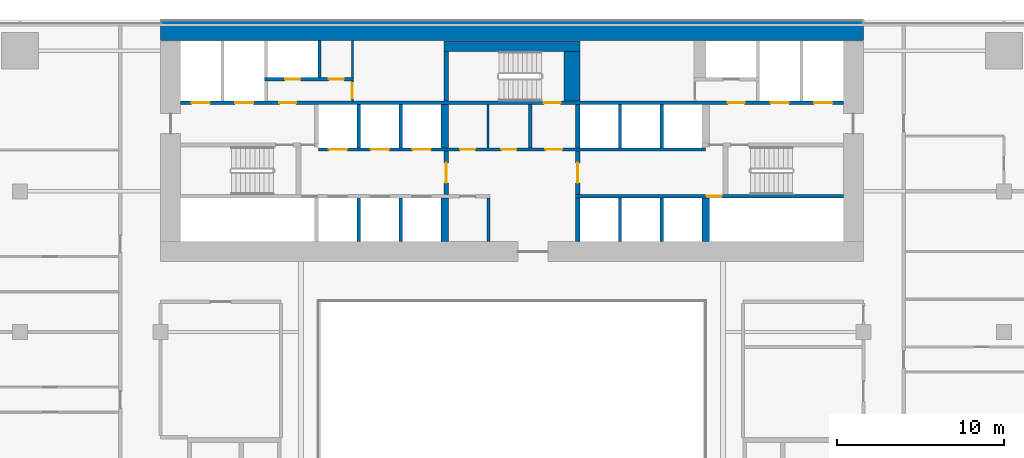
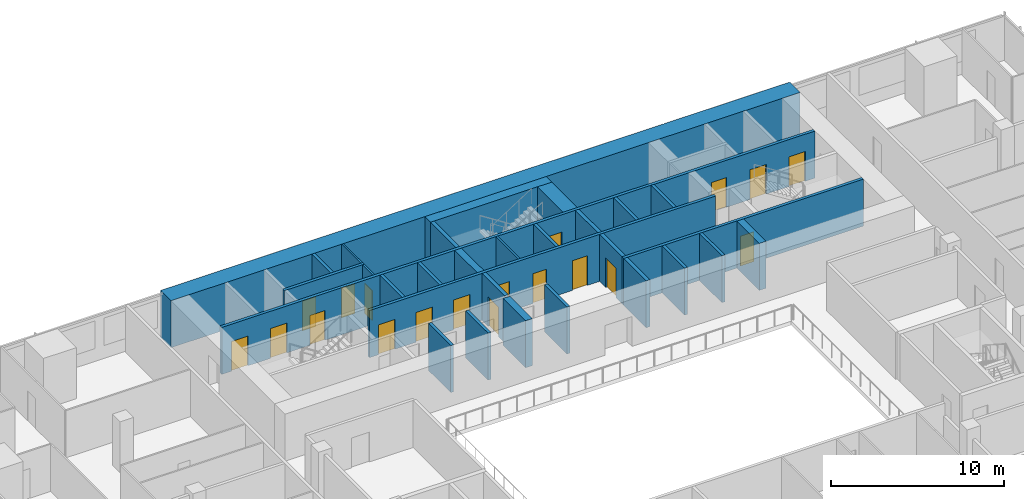
# One storey, part 19 of 25: 29 walls, 19 doors, 19 openings.
"""IFC4 building model written with IfcOpenShell, lengths in metres."""

from ifc_helpers import new_model, si_unit, direction, frame, frame_2d, origin, place, context, subcontext, project, spatial, rectangle, extrude, material, layer, layer_set, type_object, element, fill, save


model = new_model("IFC4")

# Units and contexts
model_context = context("Model", 3, precision=1e-05, world=origin(), true_north=direction((0.0, 1.0)))
body_context = subcontext(model_context, "Body", "Model", "MODEL_VIEW")
ifc_project = project(units=[si_unit("LENGTHUNIT", "METRE"), si_unit("AREAUNIT", "SQUARE_METRE"), si_unit("VOLUMEUNIT", "CUBIC_METRE"), si_unit("PLANEANGLEUNIT", "RADIAN"), si_unit("MASSUNIT", "GRAM", prefix="KILO")], contexts=[model_context])

# Site, building, storey
site_placement = place(None, origin())
site = spatial("IfcSite", under=ifc_project, at=site_placement, CompositionType="ELEMENT")
building_placement = place(site_placement, origin())
building = spatial("IfcBuilding", under=site, at=building_placement, Name="Saffron Gate Tower", CompositionType="ELEMENT")
storey_placement = place(building_placement, frame((0.0, 0.0, 73.199951171875)))
storey = spatial("IfcBuildingStorey", under=building, at=storey_placement, Name="L17", CompositionType="ELEMENT", Elevation=73.199951171875)

# Walls
ifc_material_1 = material(Name="Concrete C70", Category="concrete")
ifc_layer_1 = layer(ifc_material_1, 1.199951171875)
ifc_layer_set_1 = layer_set([ifc_layer_1], Name="CW1 RC core wall 1200 C70")
wall_type_1 = type_object("IfcWallType", Name="CW1 RC core wall 1200 C70", PredefinedType="SOLIDWALL", material=ifc_layer_set_1)
wall_1_placement = place(storey_placement, frame((66.60009765625, 75.0, 0.0), z_axis=(0.0, 0.0, 1.0), x_axis=(1.0, 0.0, 0.0)))
element("IfcWall", 1, at=wall_1_placement, inside=storey, type_object=wall_type_1, Name="Wall CW1-L17-2", PredefinedType="SOLIDWALL", context=body_context, shape_type="SweptSolid", body=[
    extrude(rectangle(XDim=42.0, YDim=1.199951171875, at=frame_2d((21.0, 0.0))), origin(), (0.0, 0.0, 1.0), 3.320068359375),
])
ifc_material_2 = material(Name="Gypsum board partition on steel studs", Category="steel")
ifc_layer_2 = layer(ifc_material_2, 0.199951171875)
ifc_layer_set_2 = layer_set([ifc_layer_2], Name="CW10 Core partition 200")
wall_type_2 = type_object("IfcWallType", Name="CW10 Core partition 200", PredefinedType="PARTITIONING", material=ifc_layer_set_2)
for number, where, z_axis, x_axis, name in (
    (2, (86.199951171875, 62.39990234375, 0.0), (0.0, 0.0, 1.0), (0.0, 1.0, 0.0), "Wall CW10-L17-9"),
    (3, (88.699951171875, 68.0, 0.0), (0.0, 0.0, 1.0), (0.0, 1.0, 0.0), "Wall CW10-L17-25"),
):
    element("IfcWall", number, at=place(storey_placement, frame(where, z_axis=z_axis, x_axis=x_axis)), inside=storey, type_object=wall_type_2, Name=name, PredefinedType="PARTITIONING", context=body_context, shape_type="SweptSolid", body=[
        extrude(rectangle(XDim=2.60009765625, YDim=0.199951171875, at=frame_2d((1.300048828125, 0.0))), origin(), (0.0, 0.0, 1.0), 3.320068359375),
    ])
ifc_layer_3 = layer(ifc_material_1, 0.25)
ifc_layer_set_3 = layer_set([ifc_layer_3], Name="CW2 RC core wall 250 C70")
wall_type_3 = type_object("IfcWallType", Name="CW2 RC core wall 250 C70", PredefinedType="SOLIDWALL", material=ifc_layer_set_3)
wall_2_placement = place(storey_placement, frame((91.52490234375, 62.39990234375, 0.0), z_axis=(0.0, 0.0, 1.0), x_axis=(0.0, 1.0, 0.0)))
element("IfcWall", 4, at=wall_2_placement, inside=storey, type_object=wall_type_3, Name="Wall CW2-L17-10", PredefinedType="SOLIDWALL", context=body_context, shape_type="SweptSolid", body=[
    extrude(rectangle(XDim=2.60009765625, YDim=0.25, at=frame_2d((1.300048828125, 0.0))), origin(), (0.0, 0.0, 1.0), 3.320068359375),
])

# Wall, opening, door
wall_3_placement = place(storey_placement, frame((83.675048828125, 65.199951171875, 0.0), z_axis=(0.0, 0.0, 1.0), x_axis=(0.0, 1.0, 0.0)))
wall_3 = element("IfcWall", 5, at=wall_3_placement, inside=storey, type_object=wall_type_3, Name="Wall CW2-L17-17", PredefinedType="SOLIDWALL", context=body_context, shape_type="SweptSolid", body=[
    extrude(rectangle(XDim=2.60009765625, YDim=0.25, at=frame_2d((1.300048828125, 0.0))), origin(), (0.0, 0.0, 1.0), 3.320068359375),
])
opening_1_placement = place(wall_3_placement, frame((0.699951171875, 0.0, 0.0)))
opening_1 = element("IfcOpeningElement", 6, at=opening_1_placement, cuts=wall_3, Name="Opening CR-07", PredefinedType="OPENING", context=body_context, shape_type="SweptSolid", body=[
    extrude(rectangle(XDim=1.199951171875, YDim=2.10009765625, at=frame_2d((0.60009765625, 1.050048828125))), frame((0.0, 0.135009765625, 0.0), z_axis=(0.0, -1.0, 0.0), x_axis=(1.0, 0.0, 0.0)), (0.0, 0.0, 1.0), 0.27001953125),
])
ifc_material_3 = material(Name="Steel fire door set", Category="steel")
door_type_1 = type_object("IfcDoorType", Name="CD3 Lobby door 1200x2100 EI 120", OperationType="NOTDEFINED", PredefinedType="DOOR", material=ifc_material_3)
door_1_placement = place(opening_1_placement, origin())
door_1 = element("IfcDoor", 7, at=door_1_placement, inside=storey, type_object=door_type_1, Name="DOOR CR-07", OperationType="SINGLE_SWING_RIGHT", OverallHeight=2.10009765625, OverallWidth=1.199951171875, PredefinedType="DOOR", context=body_context, shape_type="SweptSolid", body=[
    extrude(rectangle(XDim=1.199951171875, YDim=2.10009765625, at=frame_2d((0.60009765625, 1.050048828125))), frame((0.0, 0.02490234375, 0.0), z_axis=(0.0, -1.0, 0.0), x_axis=(1.0, 0.0, 0.0)), (0.0, 0.0, 1.0), 0.050048828125),
])
fill(opening_1, door_1)

wall_4_placement = place(storey_placement, frame((91.52490234375, 65.199951171875, 0.0), z_axis=(0.0, 0.0, 1.0), x_axis=(0.0, 1.0, 0.0)))
wall_4 = element("IfcWall", 8, at=wall_4_placement, inside=storey, type_object=wall_type_3, Name="Wall CW2-L17-18", PredefinedType="SOLIDWALL", context=body_context, shape_type="SweptSolid", body=[
    extrude(rectangle(XDim=2.60009765625, YDim=0.25, at=frame_2d((1.300048828125, 0.0))), origin(), (0.0, 0.0, 1.0), 3.320068359375),
])
opening_2_placement = place(wall_4_placement, frame((0.699951171875, 0.0, 0.0)))
opening_2 = element("IfcOpeningElement", 9, at=opening_2_placement, cuts=wall_4, Name="Opening CR-01", PredefinedType="OPENING", context=body_context, shape_type="SweptSolid", body=[
    extrude(rectangle(XDim=1.199951171875, YDim=2.10009765625, at=frame_2d((0.60009765625, 1.050048828125))), frame((0.0, 0.135009765625, 0.0), z_axis=(0.0, -1.0, 0.0), x_axis=(1.0, 0.0, 0.0)), (0.0, 0.0, 1.0), 0.27001953125),
])
door_2_placement = place(opening_2_placement, origin())
door_2 = element("IfcDoor", 10, at=door_2_placement, inside=storey, type_object=door_type_1, Name="DOOR CR-01", OperationType="SINGLE_SWING_RIGHT", OverallHeight=2.10009765625, OverallWidth=1.199951171875, PredefinedType="DOOR", context=body_context, shape_type="SweptSolid", body=[
    extrude(rectangle(XDim=1.199951171875, YDim=2.10009765625, at=frame_2d((0.60009765625, 1.050048828125))), frame((0.0, 0.02490234375, 0.0), z_axis=(0.0, -1.0, 0.0), x_axis=(1.0, 0.0, 0.0)), (0.0, 0.0, 1.0), 0.050048828125),
])
fill(opening_2, door_2)

# Walls
wall_5_placement = place(storey_placement, frame((91.52490234375, 68.0, 0.0), z_axis=(0.0, 0.0, 1.0), x_axis=(0.0, 1.0, 0.0)))
element("IfcWall", 11, at=wall_5_placement, inside=storey, type_object=wall_type_3, Name="Wall CW2-L17-26", PredefinedType="SOLIDWALL", context=body_context, shape_type="SweptSolid", body=[
    extrude(rectangle(XDim=2.60009765625, YDim=0.25, at=frame_2d((1.300048828125, 0.0))), origin(), (0.0, 0.0, 1.0), 3.320068359375),
])
wall_6_placement = place(storey_placement, frame((83.675048828125, 70.800048828125, 0.0), z_axis=(0.0, 0.0, 1.0), x_axis=(0.0, 1.0, 0.0)))
element("IfcWall", 12, at=wall_6_placement, inside=storey, type_object=wall_type_3, Name="Wall CW2-L17-38", PredefinedType="SOLIDWALL", context=body_context, shape_type="SweptSolid", body=[
    extrude(rectangle(XDim=2.949951171875, YDim=0.25, at=frame_2d((1.47509765625, 0.0))), origin(), (0.0, 0.0, 1.0), 3.320068359375),
])
ifc_layer_4 = layer(ifc_material_1, 0.199951171875)
ifc_layer_set_4 = layer_set([ifc_layer_4], Name="CW3 RC core wall 200 C70")
wall_type_4 = type_object("IfcWallType", Name="CW3 RC core wall 200 C70", PredefinedType="SOLIDWALL", material=ifc_layer_set_4)
for number, where, z_axis, x_axis, name in (
    (13, (78.449951171875, 62.39990234375, 0.0), (0.0, 0.0, 1.0), (0.0, 1.0, 0.0), "Wall CW3-L17-6"),
    (14, (80.949951171875, 62.39990234375, 0.0), (0.0, 0.0, 1.0), (0.0, 1.0, 0.0), "Wall CW3-L17-7"),
    (15, (94.050048828125, 62.39990234375, 0.0), (0.0, 0.0, 1.0), (0.0, 1.0, 0.0), "Wall CW3-L17-11"),
    (16, (96.550048828125, 62.39990234375, 0.0), (0.0, 0.0, 1.0), (0.0, 1.0, 0.0), "Wall CW3-L17-12"),
):
    element("IfcWall", number, at=place(storey_placement, frame(where, z_axis=z_axis, x_axis=x_axis)), inside=storey, type_object=wall_type_4, Name=name, PredefinedType="SOLIDWALL", context=body_context, shape_type="SweptSolid", body=[
        extrude(rectangle(XDim=2.60009765625, YDim=0.199951171875, at=frame_2d((1.300048828125, 0.0))), origin(), (0.0, 0.0, 1.0), 3.320068359375),
    ])

# Wall, opening, door
wall_7_placement = place(storey_placement, frame((91.39990234375, 65.10009765625, 0.0), z_axis=(0.0, 0.0, 1.0), x_axis=(1.0, 0.0, 0.0)))
wall_7 = element("IfcWall", 17, at=wall_7_placement, inside=storey, type_object=wall_type_4, Name="Wall CW3-L17-15", PredefinedType="SOLIDWALL", context=body_context, shape_type="SweptSolid", body=[
    extrude(rectangle(XDim=16.0, YDim=0.199951171875, at=frame_2d((8.0, 0.0))), origin(), (0.0, 0.0, 1.0), 3.320068359375),
])
opening_3_placement = place(wall_7_placement, frame((7.830078125, 0.0, 0.0)))
opening_3 = element("IfcOpeningElement", 18, at=opening_3_placement, cuts=wall_7, Name="Opening CR-48", PredefinedType="OPENING", context=body_context, shape_type="SweptSolid", body=[
    extrude(rectangle(XDim=0.89990234375, YDim=2.10009765625, at=frame_2d((0.449951171875, 1.050048828125))), frame((0.0, 0.10986328125, 0.0), z_axis=(0.0, -1.0, 0.0), x_axis=(1.0, 0.0, 0.0)), (0.0, 0.0, 1.0), 0.219970703125),
])
door_type_2 = type_object("IfcDoorType", Name="CD2 Riser door 900x2100 EI 60", OperationType="NOTDEFINED", PredefinedType="DOOR", material=ifc_material_3)
door_3_placement = place(opening_3_placement, origin())
door_3 = element("IfcDoor", 19, at=door_3_placement, inside=storey, type_object=door_type_2, Name="DOOR CR-48", OperationType="SINGLE_SWING_RIGHT", OverallHeight=2.10009765625, OverallWidth=0.89990234375, PredefinedType="DOOR", context=body_context, shape_type="SweptSolid", body=[
    extrude(rectangle(XDim=0.89990234375, YDim=2.10009765625, at=frame_2d((0.449951171875, 1.050048828125))), frame((0.0, 0.02490234375, 0.0), z_axis=(0.0, -1.0, 0.0), x_axis=(1.0, 0.0, 0.0)), (0.0, 0.0, 1.0), 0.050048828125),
])
fill(opening_3, door_3)

# Wall, openings, doors
wall_8_placement = place(storey_placement, frame((76.050048828125, 67.89990234375, 0.0), z_axis=(0.0, 0.0, 1.0), x_axis=(1.0, 0.0, 0.0)))
wall_8 = element("IfcWall", 20, at=wall_8_placement, inside=storey, type_object=wall_type_4, Name="Wall CW3-L17-20", PredefinedType="SOLIDWALL", context=body_context, shape_type="SweptSolid", body=[
    extrude(rectangle(XDim=23.099853515625, YDim=0.199951171875, at=frame_2d((11.5498046875, 0.0))), origin(), (0.0, 0.0, 1.0), 3.320068359375),
])
opening_4_placement = place(wall_8_placement, frame((0.60009765625, 0.0, 0.0)))
opening_4 = element("IfcOpeningElement", 21, at=opening_4_placement, cuts=wall_8, Name="Opening LD-LR4", PredefinedType="OPENING", context=body_context, shape_type="SweptSolid", body=[
    extrude(rectangle(XDim=1.10009765625, YDim=2.10009765625, at=frame_2d((0.550048828125, 1.050048828125))), frame((0.0, 0.10986328125, 0.0), z_axis=(0.0, -1.0, 0.0), x_axis=(1.0, 0.0, 0.0)), (0.0, 0.0, 1.0), 0.219970703125),
])
opening_5_placement = place(wall_8_placement, frame((3.10009765625, 0.0, 0.0)))
opening_5 = element("IfcOpeningElement", 22, at=opening_5_placement, cuts=wall_8, Name="Opening LD-LR5", PredefinedType="OPENING", context=body_context, shape_type="SweptSolid", body=[
    extrude(rectangle(XDim=1.10009765625, YDim=2.10009765625, at=frame_2d((0.550048828125, 1.050048828125))), frame((0.0, 0.10986328125, 0.0), z_axis=(0.0, -1.0, 0.0), x_axis=(1.0, 0.0, 0.0)), (0.0, 0.0, 1.0), 0.219970703125),
])
opening_6_placement = place(wall_8_placement, frame((5.60009765625, 0.0, 0.0)))
opening_6 = element("IfcOpeningElement", 23, at=opening_6_placement, cuts=wall_8, Name="Opening LD-LR6", PredefinedType="OPENING", context=body_context, shape_type="SweptSolid", body=[
    extrude(rectangle(XDim=1.10009765625, YDim=2.10009765625, at=frame_2d((0.550048828125, 1.050048828125))), frame((0.0, 0.10986328125, 0.0), z_axis=(0.0, -1.0, 0.0), x_axis=(1.0, 0.0, 0.0)), (0.0, 0.0, 1.0), 0.219970703125),
])
opening_7_placement = place(wall_8_placement, frame((8.449951171875, 0.0, 0.0)))
opening_7 = element("IfcOpeningElement", 24, at=opening_7_placement, cuts=wall_8, Name="Opening CR-67", PredefinedType="OPENING", context=body_context, shape_type="SweptSolid", body=[
    extrude(rectangle(XDim=0.89990234375, YDim=2.10009765625, at=frame_2d((0.449951171875, 1.050048828125))), frame((0.0, 0.10986328125, 0.0), z_axis=(0.0, -1.0, 0.0), x_axis=(1.0, 0.0, 0.0)), (0.0, 0.0, 1.0), 0.219970703125),
])
opening_8_placement = place(wall_8_placement, frame((10.909912109375, 0.0, 0.0)))
opening_8 = element("IfcOpeningElement", 25, at=opening_8_placement, cuts=wall_8, Name="Opening CR-68", PredefinedType="OPENING", context=body_context, shape_type="SweptSolid", body=[
    extrude(rectangle(XDim=0.89990234375, YDim=2.10009765625, at=frame_2d((0.449951171875, 1.050048828125))), frame((0.0, 0.10986328125, 0.0), z_axis=(0.0, -1.0, 0.0), x_axis=(1.0, 0.0, 0.0)), (0.0, 0.0, 1.0), 0.219970703125),
])
opening_9_placement = place(wall_8_placement, frame((13.550048828125, 0.0, 0.0)))
opening_9 = element("IfcOpeningElement", 26, at=opening_9_placement, cuts=wall_8, Name="Opening CR-02", PredefinedType="OPENING", context=body_context, shape_type="SweptSolid", body=[
    extrude(rectangle(XDim=1.0, YDim=2.10009765625, at=frame_2d((0.5, 1.050048828125))), frame((0.0, 0.10986328125, 0.0), z_axis=(0.0, -1.0, 0.0), x_axis=(1.0, 0.0, 0.0)), (0.0, 0.0, 1.0), 0.219970703125),
])
door_type_3 = type_object("IfcDoorType", Name="CD4 Lobby door 1000x2100 EI 120", OperationType="NOTDEFINED", PredefinedType="DOOR", material=ifc_material_3)
door_4_placement = place(opening_9_placement, origin())
door_4 = element("IfcDoor", 27, at=door_4_placement, inside=storey, type_object=door_type_3, Name="DOOR CR-02", OperationType="SINGLE_SWING_LEFT", OverallHeight=2.10009765625, OverallWidth=1.0, PredefinedType="DOOR", context=body_context, shape_type="SweptSolid", body=[
    extrude(rectangle(XDim=1.0, YDim=2.10009765625, at=frame_2d((0.5, 1.050048828125))), frame((0.0, 0.02490234375, 0.0), z_axis=(0.0, -1.0, 0.0), x_axis=(1.0, 0.0, 0.0)), (0.0, 0.0, 1.0), 0.050048828125),
])
fill(opening_9, door_4)
door_type_4 = type_object("IfcDoorType", Name="CD9 Room door 900x2100 EI 60", OperationType="NOTDEFINED", PredefinedType="DOOR", material=ifc_material_3)
door_5_placement = place(opening_7_placement, origin())
door_5 = element("IfcDoor", 28, at=door_5_placement, inside=storey, type_object=door_type_4, Name="DOOR CR-67", OperationType="SINGLE_SWING_LEFT", OverallHeight=2.10009765625, OverallWidth=0.89990234375, PredefinedType="DOOR", context=body_context, shape_type="SweptSolid", body=[
    extrude(rectangle(XDim=0.89990234375, YDim=2.10009765625, at=frame_2d((0.449951171875, 1.050048828125))), frame((0.0, 0.02490234375, 0.0), z_axis=(0.0, -1.0, 0.0), x_axis=(1.0, 0.0, 0.0)), (0.0, 0.0, 1.0), 0.050048828125),
])
fill(opening_7, door_5)
door_6_placement = place(opening_8_placement, origin())
door_6 = element("IfcDoor", 29, at=door_6_placement, inside=storey, type_object=door_type_4, Name="DOOR CR-68", OperationType="SINGLE_SWING_LEFT", OverallHeight=2.10009765625, OverallWidth=0.89990234375, PredefinedType="DOOR", context=body_context, shape_type="SweptSolid", body=[
    extrude(rectangle(XDim=0.89990234375, YDim=2.10009765625, at=frame_2d((0.449951171875, 1.050048828125))), frame((0.0, 0.02490234375, 0.0), z_axis=(0.0, -1.0, 0.0), x_axis=(1.0, 0.0, 0.0)), (0.0, 0.0, 1.0), 0.050048828125),
])
fill(opening_8, door_6)
ifc_material_4 = material(Name="Stainless steel landing door", Category="steel")
door_type_5 = type_object("IfcDoorType", Name="LD Lift landing door 1100x2100 EI 120", OperationType="SLIDING_TO_LEFT", PredefinedType="DOOR", material=ifc_material_4)
door_7_placement = place(opening_4_placement, origin())
door_7 = element("IfcDoor", 30, at=door_7_placement, inside=storey, type_object=door_type_5, Name="LANDING DOOR LD-LR4", OperationType="SLIDING_TO_RIGHT", OverallHeight=2.10009765625, OverallWidth=1.10009765625, PredefinedType="DOOR", context=body_context, shape_type="SweptSolid", body=[
    extrude(rectangle(XDim=1.10009765625, YDim=2.10009765625, at=frame_2d((0.550048828125, 1.050048828125))), frame((0.0, 0.02490234375, 0.0), z_axis=(0.0, -1.0, 0.0), x_axis=(1.0, 0.0, 0.0)), (0.0, 0.0, 1.0), 0.050048828125),
])
fill(opening_4, door_7)
door_8_placement = place(opening_5_placement, origin())
door_8 = element("IfcDoor", 31, at=door_8_placement, inside=storey, type_object=door_type_5, Name="LANDING DOOR LD-LR5", OperationType="SLIDING_TO_RIGHT", OverallHeight=2.10009765625, OverallWidth=1.10009765625, PredefinedType="DOOR", context=body_context, shape_type="SweptSolid", body=[
    extrude(rectangle(XDim=1.10009765625, YDim=2.10009765625, at=frame_2d((0.550048828125, 1.050048828125))), frame((0.0, 0.02490234375, 0.0), z_axis=(0.0, -1.0, 0.0), x_axis=(1.0, 0.0, 0.0)), (0.0, 0.0, 1.0), 0.050048828125),
])
fill(opening_5, door_8)
door_9_placement = place(opening_6_placement, origin())
door_9 = element("IfcDoor", 32, at=door_9_placement, inside=storey, type_object=door_type_5, Name="LANDING DOOR LD-LR6", OperationType="SLIDING_TO_RIGHT", OverallHeight=2.10009765625, OverallWidth=1.10009765625, PredefinedType="DOOR", context=body_context, shape_type="SweptSolid", body=[
    extrude(rectangle(XDim=1.10009765625, YDim=2.10009765625, at=frame_2d((0.550048828125, 1.050048828125))), frame((0.0, 0.02490234375, 0.0), z_axis=(0.0, -1.0, 0.0), x_axis=(1.0, 0.0, 0.0)), (0.0, 0.0, 1.0), 0.050048828125),
])
fill(opening_6, door_9)

# Walls
for number, where, z_axis, x_axis, name in (
    (33, (78.449951171875, 68.0, 0.0), (0.0, 0.0, 1.0), (0.0, 1.0, 0.0), "Wall CW3-L17-21"),
    (34, (80.949951171875, 68.0, 0.0), (0.0, 0.0, 1.0), (0.0, 1.0, 0.0), "Wall CW3-L17-22"),
    (35, (94.050048828125, 68.0, 0.0), (0.0, 0.0, 1.0), (0.0, 1.0, 0.0), "Wall CW3-L17-27"),
    (36, (96.550048828125, 68.0, 0.0), (0.0, 0.0, 1.0), (0.0, 1.0, 0.0), "Wall CW3-L17-28"),
):
    element("IfcWall", number, at=place(storey_placement, frame(where, z_axis=z_axis, x_axis=x_axis)), inside=storey, type_object=wall_type_4, Name=name, PredefinedType="SOLIDWALL", context=body_context, shape_type="SweptSolid", body=[
        extrude(rectangle(XDim=2.60009765625, YDim=0.199951171875, at=frame_2d((1.300048828125, 0.0))), origin(), (0.0, 0.0, 1.0), 3.320068359375),
    ])

# Wall, openings, doors
wall_9_placement = place(storey_placement, frame((67.800048828125, 70.699951171875, 0.0), z_axis=(0.0, 0.0, 1.0), x_axis=(1.0, 0.0, 0.0)))
wall_9 = element("IfcWall", 37, at=wall_9_placement, inside=storey, type_object=wall_type_4, Name="Wall CW3-L17-34", PredefinedType="SOLIDWALL", context=body_context, shape_type="SweptSolid", body=[
    extrude(rectangle(XDim=39.599853515625, YDim=0.199951171875, at=frame_2d((19.7998046875, 0.0))), origin(), (0.0, 0.0, 1.0), 3.320068359375),
])
opening_10_placement = place(wall_9_placement, frame((0.64990234375, 0.0, 0.0)))
opening_10 = element("IfcOpeningElement", 38, at=opening_10_placement, cuts=wall_9, Name="Opening LD-FF1", PredefinedType="OPENING", context=body_context, shape_type="SweptSolid", body=[
    extrude(rectangle(XDim=1.10009765625, YDim=2.10009765625, at=frame_2d((0.550048828125, 1.050048828125))), frame((0.0, 0.10986328125, 0.0), z_axis=(0.0, -1.0, 0.0), x_axis=(1.0, 0.0, 0.0)), (0.0, 0.0, 1.0), 0.219970703125),
])
opening_11_placement = place(wall_9_placement, frame((3.25, 0.0, 0.0)))
opening_11 = element("IfcOpeningElement", 39, at=opening_11_placement, cuts=wall_9, Name="Opening LD-SV1", PredefinedType="OPENING", context=body_context, shape_type="SweptSolid", body=[
    extrude(rectangle(XDim=1.10009765625, YDim=2.10009765625, at=frame_2d((0.550048828125, 1.050048828125))), frame((0.0, 0.10986328125, 0.0), z_axis=(0.0, -1.0, 0.0), x_axis=(1.0, 0.0, 0.0)), (0.0, 0.0, 1.0), 0.219970703125),
])
opening_12_placement = place(wall_9_placement, frame((5.89990234375, 0.0, 0.0)))
opening_12 = element("IfcOpeningElement", 40, at=opening_12_placement, cuts=wall_9, Name="Opening CR-03", PredefinedType="OPENING", context=body_context, shape_type="SweptSolid", body=[
    extrude(rectangle(XDim=1.0, YDim=2.10009765625, at=frame_2d((0.5, 1.050048828125))), frame((0.0, 0.10986328125, 0.0), z_axis=(0.0, -1.0, 0.0), x_axis=(1.0, 0.0, 0.0)), (0.0, 0.0, 1.0), 0.219970703125),
])
opening_13_placement = place(wall_9_placement, frame((21.699951171875, 0.0, 0.0)))
opening_13 = element("IfcOpeningElement", 41, at=opening_13_placement, cuts=wall_9, Name="Opening CR-17", PredefinedType="OPENING", context=body_context, shape_type="SweptSolid", body=[
    extrude(rectangle(XDim=1.0, YDim=2.10009765625, at=frame_2d((0.5, 1.050048828125))), frame((0.0, 0.10986328125, 0.0), z_axis=(0.0, -1.0, 0.0), x_axis=(1.0, 0.0, 0.0)), (0.0, 0.0, 1.0), 0.219970703125),
])
opening_14_placement = place(wall_9_placement, frame((32.699951171875, 0.0, 0.0)))
opening_14 = element("IfcOpeningElement", 42, at=opening_14_placement, cuts=wall_9, Name="Opening CR-04", PredefinedType="OPENING", context=body_context, shape_type="SweptSolid", body=[
    extrude(rectangle(XDim=1.0, YDim=2.10009765625, at=frame_2d((0.5, 1.050048828125))), frame((0.0, 0.10986328125, 0.0), z_axis=(0.0, -1.0, 0.0), x_axis=(1.0, 0.0, 0.0)), (0.0, 0.0, 1.0), 0.219970703125),
])
opening_15_placement = place(wall_9_placement, frame((35.25, 0.0, 0.0)))
opening_15 = element("IfcOpeningElement", 43, at=opening_15_placement, cuts=wall_9, Name="Opening LD-SV2", PredefinedType="OPENING", context=body_context, shape_type="SweptSolid", body=[
    extrude(rectangle(XDim=1.10009765625, YDim=2.10009765625, at=frame_2d((0.550048828125, 1.050048828125))), frame((0.0, 0.10986328125, 0.0), z_axis=(0.0, -1.0, 0.0), x_axis=(1.0, 0.0, 0.0)), (0.0, 0.0, 1.0), 0.219970703125),
])
opening_16_placement = place(wall_9_placement, frame((37.85009765625, 0.0, 0.0)))
opening_16 = element("IfcOpeningElement", 44, at=opening_16_placement, cuts=wall_9, Name="Opening LD-FF2", PredefinedType="OPENING", context=body_context, shape_type="SweptSolid", body=[
    extrude(rectangle(XDim=1.10009765625, YDim=2.10009765625, at=frame_2d((0.550048828125, 1.050048828125))), frame((0.0, 0.10986328125, 0.0), z_axis=(0.0, -1.0, 0.0), x_axis=(1.0, 0.0, 0.0)), (0.0, 0.0, 1.0), 0.219970703125),
])
door_10_placement = place(opening_12_placement, origin())
door_10 = element("IfcDoor", 45, at=door_10_placement, inside=storey, type_object=door_type_3, Name="DOOR CR-03", OperationType="SINGLE_SWING_LEFT", OverallHeight=2.10009765625, OverallWidth=1.0, PredefinedType="DOOR", context=body_context, shape_type="SweptSolid", body=[
    extrude(rectangle(XDim=1.0, YDim=2.10009765625, at=frame_2d((0.5, 1.050048828125))), frame((0.0, 0.02490234375, 0.0), z_axis=(0.0, -1.0, 0.0), x_axis=(1.0, 0.0, 0.0)), (0.0, 0.0, 1.0), 0.050048828125),
])
fill(opening_12, door_10)
door_11_placement = place(opening_14_placement, origin())
door_11 = element("IfcDoor", 46, at=door_11_placement, inside=storey, type_object=door_type_3, Name="DOOR CR-04", OperationType="SINGLE_SWING_RIGHT", OverallHeight=2.10009765625, OverallWidth=1.0, PredefinedType="DOOR", context=body_context, shape_type="SweptSolid", body=[
    extrude(rectangle(XDim=1.0, YDim=2.10009765625, at=frame_2d((0.5, 1.050048828125))), frame((0.0, 0.02490234375, 0.0), z_axis=(0.0, -1.0, 0.0), x_axis=(1.0, 0.0, 0.0)), (0.0, 0.0, 1.0), 0.050048828125),
])
fill(opening_14, door_11)
door_type_6 = type_object("IfcDoorType", Name="CD5 Stair door 1000x2100 EI 120", OperationType="NOTDEFINED", PredefinedType="DOOR", material=ifc_material_3)
door_12_placement = place(opening_13_placement, origin())
door_12 = element("IfcDoor", 47, at=door_12_placement, inside=storey, type_object=door_type_6, Name="DOOR CR-17", OperationType="SINGLE_SWING_RIGHT", OverallHeight=2.10009765625, OverallWidth=1.0, PredefinedType="DOOR", context=body_context, shape_type="SweptSolid", body=[
    extrude(rectangle(XDim=1.0, YDim=2.10009765625, at=frame_2d((0.5, 1.050048828125))), frame((0.0, 0.02490234375, 0.0), z_axis=(0.0, -1.0, 0.0), x_axis=(1.0, 0.0, 0.0)), (0.0, 0.0, 1.0), 0.050048828125),
])
fill(opening_13, door_12)
door_13_placement = place(opening_10_placement, origin())
door_13 = element("IfcDoor", 48, at=door_13_placement, inside=storey, type_object=door_type_5, Name="LANDING DOOR LD-FF1", OperationType="SLIDING_TO_RIGHT", OverallHeight=2.10009765625, OverallWidth=1.10009765625, PredefinedType="DOOR", context=body_context, shape_type="SweptSolid", body=[
    extrude(rectangle(XDim=1.10009765625, YDim=2.10009765625, at=frame_2d((0.550048828125, 1.050048828125))), frame((0.0, 0.02490234375, 0.0), z_axis=(0.0, -1.0, 0.0), x_axis=(1.0, 0.0, 0.0)), (0.0, 0.0, 1.0), 0.050048828125),
])
fill(opening_10, door_13)
door_14_placement = place(opening_11_placement, origin())
door_14 = element("IfcDoor", 49, at=door_14_placement, inside=storey, type_object=door_type_5, Name="LANDING DOOR LD-SV1", OperationType="SLIDING_TO_RIGHT", OverallHeight=2.10009765625, OverallWidth=1.10009765625, PredefinedType="DOOR", context=body_context, shape_type="SweptSolid", body=[
    extrude(rectangle(XDim=1.10009765625, YDim=2.10009765625, at=frame_2d((0.550048828125, 1.050048828125))), frame((0.0, 0.02490234375, 0.0), z_axis=(0.0, -1.0, 0.0), x_axis=(1.0, 0.0, 0.0)), (0.0, 0.0, 1.0), 0.050048828125),
])
fill(opening_11, door_14)
door_15_placement = place(opening_15_placement, origin())
door_15 = element("IfcDoor", 50, at=door_15_placement, inside=storey, type_object=door_type_5, Name="LANDING DOOR LD-SV2", OperationType="SLIDING_TO_RIGHT", OverallHeight=2.10009765625, OverallWidth=1.10009765625, PredefinedType="DOOR", context=body_context, shape_type="SweptSolid", body=[
    extrude(rectangle(XDim=1.10009765625, YDim=2.10009765625, at=frame_2d((0.550048828125, 1.050048828125))), frame((0.0, 0.02490234375, 0.0), z_axis=(0.0, -1.0, 0.0), x_axis=(1.0, 0.0, 0.0)), (0.0, 0.0, 1.0), 0.050048828125),
])
fill(opening_15, door_15)
door_16_placement = place(opening_16_placement, origin())
door_16 = element("IfcDoor", 51, at=door_16_placement, inside=storey, type_object=door_type_5, Name="LANDING DOOR LD-FF2", OperationType="SLIDING_TO_RIGHT", OverallHeight=2.10009765625, OverallWidth=1.10009765625, PredefinedType="DOOR", context=body_context, shape_type="SweptSolid", body=[
    extrude(rectangle(XDim=1.10009765625, YDim=2.10009765625, at=frame_2d((0.550048828125, 1.050048828125))), frame((0.0, 0.02490234375, 0.0), z_axis=(0.0, -1.0, 0.0), x_axis=(1.0, 0.0, 0.0)), (0.0, 0.0, 1.0), 0.050048828125),
])
fill(opening_16, door_16)

wall_10_placement = place(storey_placement, frame((72.800048828125, 72.10009765625, 0.0), z_axis=(0.0, 0.0, 1.0), x_axis=(1.0, 0.0, 0.0)))
wall_10 = element("IfcWall", 52, at=wall_10_placement, inside=storey, type_object=wall_type_4, Name="Wall CW3-L17-43", PredefinedType="SOLIDWALL", context=body_context, shape_type="SweptSolid", body=[
    extrude(rectangle(XDim=5.320068359375, YDim=0.199951171875, at=frame_2d((2.66015625, 0.0))), origin(), (0.0, 0.0, 1.0), 3.320068359375),
])
opening_17_placement = place(wall_10_placement, frame((1.25, 0.0, 0.0)))
opening_17 = element("IfcOpeningElement", 53, at=opening_17_placement, cuts=wall_10, Name="Opening CR-71", PredefinedType="OPENING", context=body_context, shape_type="SweptSolid", body=[
    extrude(rectangle(XDim=0.89990234375, YDim=2.10009765625, at=frame_2d((0.449951171875, 1.050048828125))), frame((0.0, 0.10986328125, 0.0), z_axis=(0.0, -1.0, 0.0), x_axis=(1.0, 0.0, 0.0)), (0.0, 0.0, 1.0), 0.219970703125),
])
opening_18_placement = place(wall_10_placement, frame((3.85009765625, 0.0, 0.0)))
opening_18 = element("IfcOpeningElement", 54, at=opening_18_placement, cuts=wall_10, Name="Opening CR-55", PredefinedType="OPENING", context=body_context, shape_type="SweptSolid", body=[
    extrude(rectangle(XDim=0.89990234375, YDim=2.10009765625, at=frame_2d((0.449951171875, 1.050048828125))), frame((0.0, 0.10986328125, 0.0), z_axis=(0.0, -1.0, 0.0), x_axis=(1.0, 0.0, 0.0)), (0.0, 0.0, 1.0), 0.219970703125),
])
door_17_placement = place(opening_17_placement, origin())
door_17 = element("IfcDoor", 55, at=door_17_placement, inside=storey, type_object=door_type_2, Name="DOOR CR-71", OperationType="SINGLE_SWING_LEFT", OverallHeight=2.10009765625, OverallWidth=0.89990234375, PredefinedType="DOOR", context=body_context, shape_type="SweptSolid", body=[
    extrude(rectangle(XDim=0.89990234375, YDim=2.10009765625, at=frame_2d((0.449951171875, 1.050048828125))), frame((0.0, 0.02490234375, 0.0), z_axis=(0.0, -1.0, 0.0), x_axis=(1.0, 0.0, 0.0)), (0.0, 0.0, 1.0), 0.050048828125),
])
fill(opening_17, door_17)
door_18_placement = place(opening_18_placement, origin())
door_18 = element("IfcDoor", 56, at=door_18_placement, inside=storey, type_object=door_type_4, Name="DOOR CR-55", OperationType="SINGLE_SWING_LEFT", OverallHeight=2.10009765625, OverallWidth=0.89990234375, PredefinedType="DOOR", context=body_context, shape_type="SweptSolid", body=[
    extrude(rectangle(XDim=0.89990234375, YDim=2.10009765625, at=frame_2d((0.449951171875, 1.050048828125))), frame((0.0, 0.02490234375, 0.0), z_axis=(0.0, -1.0, 0.0), x_axis=(1.0, 0.0, 0.0)), (0.0, 0.0, 1.0), 0.050048828125),
])
fill(opening_18, door_18)

# Walls
wall_11_placement = place(storey_placement, frame((76.10009765625, 72.199951171875, 0.0), z_axis=(0.0, 0.0, 1.0), x_axis=(0.0, 1.0, 0.0)))
element("IfcWall", 57, at=wall_11_placement, inside=storey, type_object=wall_type_4, Name="Wall CW3-L17-46", PredefinedType="SOLIDWALL", context=body_context, shape_type="SweptSolid", body=[
    extrude(rectangle(XDim=2.199951171875, YDim=0.199951171875, at=frame_2d((1.10009765625, 0.0))), origin(), (0.0, 0.0, 1.0), 3.320068359375),
])
ifc_layer_5 = layer(ifc_material_1, 0.449951171875)
ifc_layer_set_5 = layer_set([ifc_layer_5], Name="CW4 RC core wall 450 C70")
wall_type_5 = type_object("IfcWallType", Name="CW4 RC core wall 450 C70", PredefinedType="SOLIDWALL", material=ifc_layer_set_5)
for number, where, z_axis, x_axis, name in (
    (58, (83.574951171875, 62.39990234375, 0.0), (0.0, 0.0, 1.0), (0.0, 1.0, 0.0), "Wall CW4-L17-8"),
    (59, (99.175048828125, 62.39990234375, 0.0), (0.0, 0.0, 1.0), (0.0, 1.0, 0.0), "Wall CW4-L17-13"),
    (60, (83.574951171875, 68.0, 0.0), (0.0, 0.0, 1.0), (0.0, 1.0, 0.0), "Wall CW4-L17-23"),
):
    element("IfcWall", number, at=place(storey_placement, frame(where, z_axis=z_axis, x_axis=x_axis)), inside=storey, type_object=wall_type_5, Name=name, PredefinedType="SOLIDWALL", context=body_context, shape_type="SweptSolid", body=[
        extrude(rectangle(XDim=2.60009765625, YDim=0.449951171875, at=frame_2d((1.300048828125, 0.0))), origin(), (0.0, 0.0, 1.0), 3.320068359375),
    ])
ifc_layer_6 = layer(ifc_material_1, 0.949951171875)
ifc_layer_set_6 = layer_set([ifc_layer_6], Name="CW7 RC core wall 950 C70")
wall_type_6 = type_object("IfcWallType", Name="CW7 RC core wall 950 C70", PredefinedType="SOLIDWALL", material=ifc_layer_set_6)
wall_12_placement = place(storey_placement, frame((91.175048828125, 70.800048828125, 0.0), z_axis=(0.0, 0.0, 1.0), x_axis=(0.0, 1.0, 0.0)))
element("IfcWall", 61, at=wall_12_placement, inside=storey, type_object=wall_type_6, Name="Wall CW7-L17-39", PredefinedType="SOLIDWALL", context=body_context, shape_type="SweptSolid", body=[
    extrude(rectangle(XDim=2.949951171875, YDim=0.949951171875, at=frame_2d((1.47509765625, 0.0))), origin(), (0.0, 0.0, 1.0), 3.320068359375),
])
ifc_layer_7 = layer(ifc_material_2, 0.1201171875)
ifc_layer_set_7 = layer_set([ifc_layer_7], Name="CW8 Core partition 120")
wall_type_7 = type_object("IfcWallType", Name="CW8 Core partition 120", PredefinedType="PARTITIONING", material=ifc_layer_set_7)
wall_13_placement = place(storey_placement, frame((86.159912109375, 68.0, 0.0), z_axis=(0.0, 0.0, 1.0), x_axis=(0.0, 1.0, 0.0)))
element("IfcWall", 62, at=wall_13_placement, inside=storey, type_object=wall_type_7, Name="Wall CW8-L17-24", PredefinedType="PARTITIONING", context=body_context, shape_type="SweptSolid", body=[
    extrude(rectangle(XDim=2.60009765625, YDim=0.1201171875, at=frame_2d((1.300048828125, 0.0))), origin(), (0.0, 0.0, 1.0), 3.320068359375),
])

# Wall, opening, door
wall_14_placement = place(storey_placement, frame((78.06005859375, 70.800048828125, 0.0), z_axis=(0.0, 0.0, 1.0), x_axis=(0.0, 1.0, 0.0)))
wall_14 = element("IfcWall", 63, at=wall_14_placement, inside=storey, type_object=wall_type_7, Name="Wall CW8-L17-37", PredefinedType="PARTITIONING", context=body_context, shape_type="SweptSolid", body=[
    extrude(rectangle(XDim=1.199951171875, YDim=0.1201171875, at=frame_2d((0.60009765625, 0.0))), origin(), (0.0, 0.0, 1.0), 3.320068359375),
])
opening_19_placement = place(wall_14_placement, frame((0.14990234375, 0.0, 0.0)))
opening_19 = element("IfcOpeningElement", 64, at=opening_19_placement, cuts=wall_14, Name="Opening CR-60", PredefinedType="OPENING", context=body_context, shape_type="SweptSolid", body=[
    extrude(rectangle(XDim=0.89990234375, YDim=2.10009765625, at=frame_2d((0.449951171875, 1.050048828125))), frame((0.0, 0.070068359375, 0.0), z_axis=(0.0, -1.0, 0.0), x_axis=(1.0, 0.0, 0.0)), (0.0, 0.0, 1.0), 0.14013671875),
])
door_19_placement = place(opening_19_placement, origin())
door_19 = element("IfcDoor", 65, at=door_19_placement, inside=storey, type_object=door_type_4, Name="DOOR CR-60", OperationType="SINGLE_SWING_RIGHT", OverallHeight=2.10009765625, OverallWidth=0.89990234375, PredefinedType="DOOR", context=body_context, shape_type="SweptSolid", body=[
    extrude(rectangle(XDim=0.89990234375, YDim=2.10009765625, at=frame_2d((0.449951171875, 1.050048828125))), frame((0.0, 0.02490234375, 0.0), z_axis=(0.0, -1.0, 0.0), x_axis=(1.0, 0.0, 0.0)), (0.0, 0.0, 1.0), 0.050048828125),
])
fill(opening_19, door_19)

# Walls
wall_15_placement = place(storey_placement, frame((78.06005859375, 72.199951171875, 0.0), z_axis=(0.0, 0.0, 1.0), x_axis=(0.0, 1.0, 0.0)))
element("IfcWall", 66, at=wall_15_placement, inside=storey, type_object=wall_type_7, Name="Wall CW8-L17-47", PredefinedType="PARTITIONING", context=body_context, shape_type="SweptSolid", body=[
    extrude(rectangle(XDim=2.199951171875, YDim=0.1201171875, at=frame_2d((1.10009765625, 0.0))), origin(), (0.0, 0.0, 1.0), 3.320068359375),
])
ifc_layer_8 = layer(ifc_material_1, 0.64990234375)
ifc_layer_set_8 = layer_set([ifc_layer_8], Name="CW9 RC core wall 650 C70")
wall_type_8 = type_object("IfcWallType", Name="CW9 RC core wall 650 C70", PredefinedType="SOLIDWALL", material=ifc_layer_set_8)
wall_16_placement = place(storey_placement, frame((83.550048828125, 74.074951171875, 0.0), z_axis=(0.0, 0.0, 1.0), x_axis=(1.0, 0.0, 0.0)))
element("IfcWall", 67, at=wall_16_placement, inside=storey, type_object=wall_type_8, Name="Wall CW9-L17-50", PredefinedType="SOLIDWALL", context=body_context, shape_type="SweptSolid", body=[
    extrude(rectangle(XDim=8.099853515625, YDim=0.64990234375, at=frame_2d((4.0498046875, 0.0))), origin(), (0.0, 0.0, 1.0), 3.320068359375),
])

save(model, "model.ifc")
